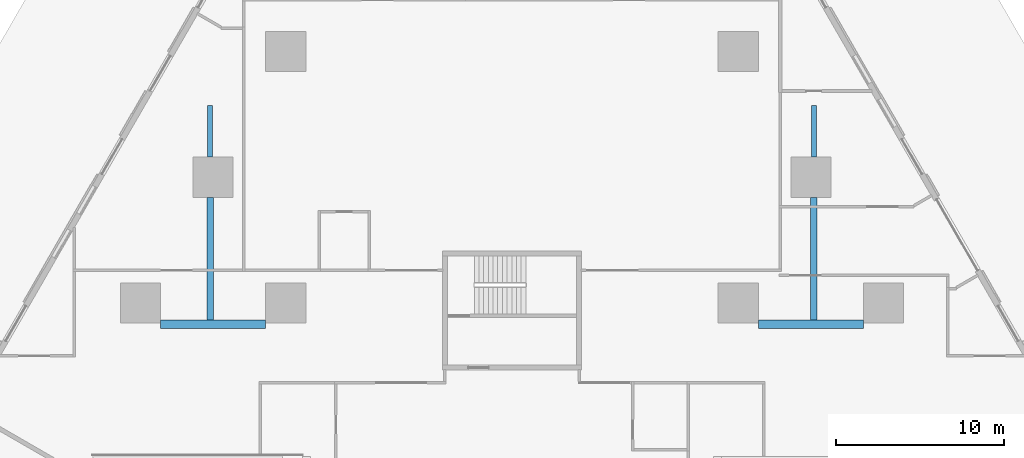
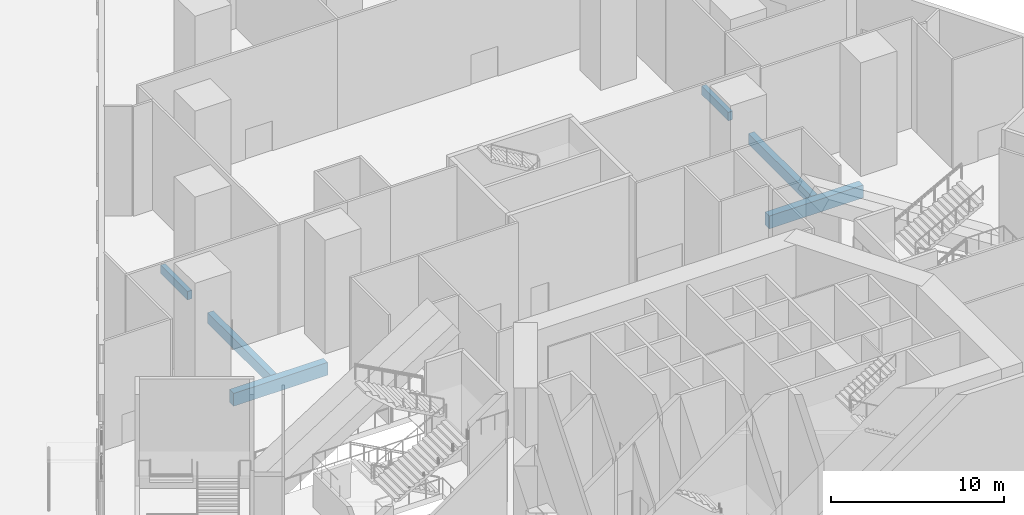
# One storey, part 6 of 24: 6 beams.
"""IFC4 building model written with IfcOpenShell, lengths in metres."""

from ifc_helpers import new_model, si_unit, direction, frame, origin, origin_2d, place, context, subcontext, project, spatial, rectangle, extrude, material, material_profile, profile_set, type_object, element, save


model = new_model("IFC4")

# Units and contexts
model_context = context("Model", 3, precision=1e-05, world=origin(), true_north=direction((0.0, 1.0)))
body_context = subcontext(model_context, "Body", "Model", "MODEL_VIEW")
ifc_project = project(units=[si_unit("LENGTHUNIT", "METRE"), si_unit("AREAUNIT", "SQUARE_METRE"), si_unit("VOLUMEUNIT", "CUBIC_METRE"), si_unit("PLANEANGLEUNIT", "RADIAN"), si_unit("MASSUNIT", "GRAM", prefix="KILO")], contexts=[model_context])

# Site, building, storey
site_placement = place(None, origin())
site = spatial("IfcSite", under=ifc_project, at=site_placement, CompositionType="ELEMENT")
building_placement = place(site_placement, origin())
building = spatial("IfcBuilding", under=site, at=building_placement, Name="Fogline Exchange Tower", CompositionType="ELEMENT")
storey_placement = place(building_placement, origin())
storey = spatial("IfcBuildingStorey", under=building, at=storey_placement, Name="L00", CompositionType="ELEMENT", Elevation=0.0)

# Beams
ifc_material = material(Name="Concrete C40", Category="concrete")
ifc_material_profile_1 = material_profile(ifc_material, rectangle(XDim=0.5, YDim=0.89990234375, at=origin_2d()), Name="RC 500x900")
ifc_profile_set_1 = profile_set([ifc_material_profile_1], Name="Concrete C40")
beam_type_1 = type_object("IfcBeamType", Name="B02", PredefinedType="BEAM", material=ifc_profile_set_1)
for number, where, z_axis, x_axis, name in (
    (1, (-20.9580078125, 31.5, -0.85009765625), (1.0, 0.0, 0.0), (0.0, 1.0, 0.0), "GB006"),
    (2, (14.699951171875, 31.5, -0.85009765625), (1.0, 0.0, 0.0), (0.0, 1.0, 0.0), "GB009"),
):
    element("IfcBeam", number, at=place(storey_placement, frame(where, z_axis=z_axis, x_axis=x_axis)), inside=storey, type_object=beam_type_1, Name=name, PredefinedType="BEAM", context=body_context, shape_type="SweptSolid", body=[
        extrude(rectangle(XDim=0.5, YDim=0.89990234375, at=origin_2d()), origin(), (0.0, 0.0, 1.0), 6.258056640625),
    ])
ifc_material_profile_2 = material_profile(ifc_material, rectangle(XDim=0.39990234375, YDim=0.75, at=origin_2d()), Name="RC 400x750")
ifc_profile_set_2 = profile_set([ifc_material_profile_2], Name="Concrete C40")
beam_type_2 = type_object("IfcBeamType", Name="B05", PredefinedType="BEAM", material=ifc_profile_set_2)
for number, where, z_axis, x_axis, name in (
    (3, (-18.0, 31.75, -0.77490234375), (0.0, 1.0, 0.0), (-1.0, 0.0, 0.0), "SB014"),
    (4, (18.0, 31.75, -0.77490234375), (0.0, 1.0, 0.0), (-1.0, 0.0, 0.0), "SB038"),
):
    element("IfcBeam", number, at=place(storey_placement, frame(where, z_axis=z_axis, x_axis=x_axis)), inside=storey, type_object=beam_type_2, Name=name, PredefinedType="BEAM", context=body_context, shape_type="SweptSolid", body=[
        extrude(rectangle(XDim=0.39990234375, YDim=0.75, at=origin_2d()), origin(), (0.0, 0.0, 1.0), 7.30810546875),
    ])
ifc_material_profile_3 = material_profile(ifc_material, rectangle(XDim=0.300048828125, YDim=0.60009765625, at=origin_2d()), Name="RC 300x600")
ifc_profile_set_3 = profile_set([ifc_material_profile_3], Name="Concrete C40")
beam_type_3 = type_object("IfcBeamType", Name="B06", PredefinedType="BEAM", material=ifc_profile_set_3)
for number, where, z_axis, x_axis, name in (
    (5, (-18.0, 41.4580078125, -0.699951171875), (0.0, 1.0, 0.0), (-1.0, 0.0, 0.0), "SB015"),
    (6, (18.0, 41.4580078125, -0.699951171875), (0.0, 1.0, 0.0), (-1.0, 0.0, 0.0), "SB039"),
):
    element("IfcBeam", number, at=place(storey_placement, frame(where, z_axis=z_axis, x_axis=x_axis)), inside=storey, type_object=beam_type_3, Name=name, PredefinedType="BEAM", context=body_context, shape_type="SweptSolid", body=[
        extrude(rectangle(XDim=0.300048828125, YDim=0.60009765625, at=origin_2d()), origin(), (0.0, 0.0, 1.0), 3.092041015625),
    ])

save(model, "model.ifc")
